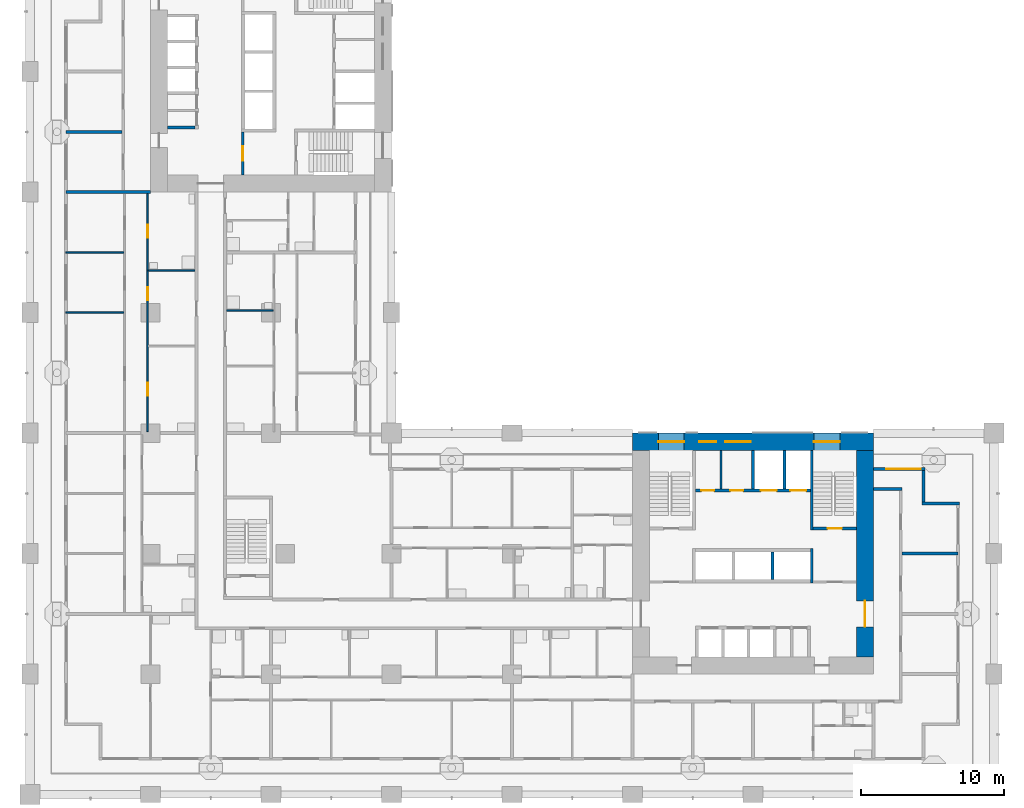
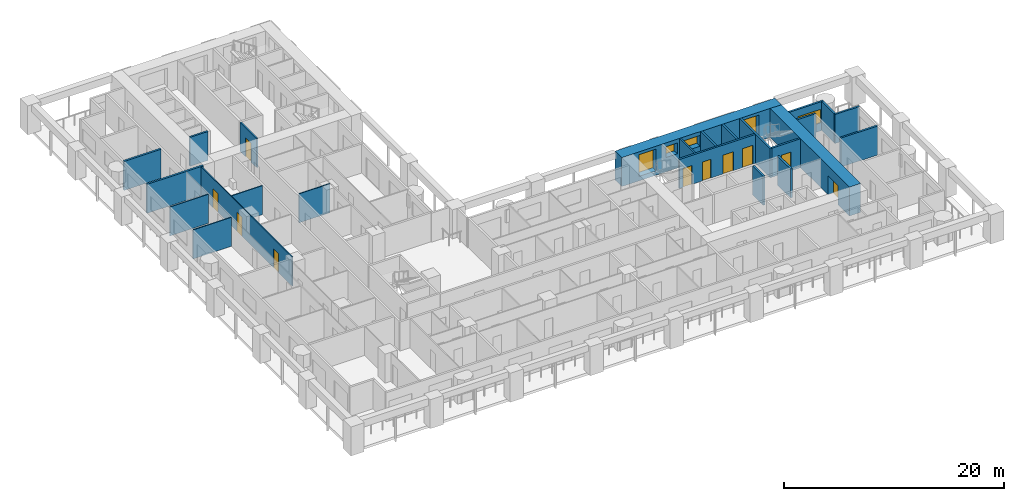
# One storey, part 7 of 20: 24 walls, 10 doors, 5 windows, 15 openings.
"""IFC4 building model written with IfcOpenShell, lengths in metres."""

from ifc_helpers import new_model, si_unit, direction, frame, frame_2d, origin, place, context, subcontext, project, spatial, rectangle, extrude, material, layer, layer_set, type_object, element, fill, save


model = new_model("IFC4")

# Units and contexts
model_context = context("Model", 3, precision=1e-05, world=origin(), true_north=direction((0.0, 1.0)))
body_context = subcontext(model_context, "Body", "Model", "MODEL_VIEW")
ifc_project = project(units=[si_unit("LENGTHUNIT", "METRE"), si_unit("AREAUNIT", "SQUARE_METRE"), si_unit("VOLUMEUNIT", "CUBIC_METRE"), si_unit("PLANEANGLEUNIT", "RADIAN"), si_unit("MASSUNIT", "GRAM", prefix="KILO")], contexts=[model_context])

# Site, building, storey
site_placement = place(None, origin())
site = spatial("IfcSite", under=ifc_project, at=site_placement, CompositionType="ELEMENT")
building_placement = place(site_placement, origin())
building = spatial("IfcBuilding", under=site, at=building_placement, Name="Vermilion Gate Residences", CompositionType="ELEMENT")
storey_placement = place(building_placement, frame((0.0, 0.0, 35.699951171875)))
storey = spatial("IfcBuildingStorey", under=building, at=storey_placement, Name="L07", CompositionType="ELEMENT", Elevation=35.699951171875)

# Wall
ifc_material_1 = material(Name="Masonry blockwork", Category="masonry")
ifc_layer_1 = layer(ifc_material_1, 0.14990234375)
ifc_layer_set_1 = layer_set([ifc_layer_1], Name="BLOCKWORK PARTITION 150 EI 120")
wall_type_1 = type_object("IfcWallType", Name="BLOCKWORK PARTITION 150 EI 120", PredefinedType="PARTITIONING", material=ifc_layer_set_1)
wall_1_placement = place(storey_placement, frame((48.16259765625, 21.300048828125, 0.0), z_axis=(0.0, 0.0, 1.0), x_axis=(0.0, 1.0, 0.0)))
element("IfcWall", 1, at=wall_1_placement, inside=storey, type_object=wall_type_1, Name="Core room partition A07-NR-P0", PredefinedType="PARTITIONING", context=body_context, shape_type="SweptSolid", body=[
    extrude(rectangle(XDim=2.699951171875, YDim=0.14990234375, at=frame_2d((1.35009765625, 0.0))), origin(), (0.0, 0.0, 1.0), 3.219970703125),
])

# Wall, opening, door
wall_2_placement = place(storey_placement, frame((14.824951171875, 46.199951171875, 0.0), z_axis=(0.0, 0.0, 1.0), x_axis=(0.0, -1.0, 0.0)))
wall_2 = element("IfcWall", 2, at=wall_2_placement, inside=storey, type_object=wall_type_1, Name="Core room partition B07-VE-S", PredefinedType="PARTITIONING", context=body_context, shape_type="SweptSolid", body=[
    extrude(rectangle(XDim=3.0, YDim=0.14990234375, at=frame_2d((1.5, 0.0))), origin(), (0.0, 0.0, 1.0), 3.219970703125),
])
opening_1_placement = place(wall_2_placement, frame((1.0, 0.0, 0.0)))
opening_1 = element("IfcOpeningElement", 3, at=opening_1_placement, cuts=wall_2, Name="Opening DK07115", PredefinedType="OPENING", context=body_context, shape_type="SweptSolid", body=[
    extrude(rectangle(XDim=1.0, YDim=2.10009765625, at=frame_2d((0.5, 1.050048828125))), frame((0.0, 0.0849609375, 0.0), z_axis=(0.0, -1.0, 0.0), x_axis=(1.0, 0.0, 0.0)), (0.0, 0.0, 1.0), 0.169921875),
])
ifc_material_2 = material(Name="Steel", Category="steel")
door_type_1 = type_object("IfcDoorType", Name="FIRE DOOR FD60 1000 X 2100", OperationType="SINGLE_SWING_LEFT", PredefinedType="DOOR", material=ifc_material_2)
door_1_placement = place(opening_1_placement, frame((1.0, 0.0, 0.0), z_axis=(0.0, 0.0, 1.0), x_axis=(-1.0, 0.0, 0.0)))
door_1 = element("IfcDoor", 4, at=door_1_placement, inside=storey, type_object=door_type_1, Name="Stair vestibule door B07", OperationType="SINGLE_SWING_LEFT", OverallHeight=2.10009765625, OverallWidth=1.0, PredefinedType="DOOR", context=body_context, shape_type="SweptSolid", body=[
    extrude(rectangle(XDim=1.0, YDim=2.10009765625, at=frame_2d((0.5, 1.050048828125))), frame((0.0, 0.02490234375, 0.0), z_axis=(0.0, -1.0, 0.0), x_axis=(1.0, 0.0, 0.0)), (0.0, 0.0, 1.0), 0.050048828125),
])
fill(opening_1, door_1)

# Walls
ifc_material_3 = material(Name="Insulated steel stud wall with terracotta rainscreen", Category="masonry")
ifc_layer_2 = layer(ifc_material_3, 0.199951171875)
ifc_layer_set_2 = layer_set([ifc_layer_2], Name="EXTERNAL WALL 200 TERRACOTTA RAINSCREEN")
wall_type_2 = type_object("IfcWallType", Name="EXTERNAL WALL 200 TERRACOTTA RAINSCREEN", PredefinedType="SOLIDWALL", material=ifc_layer_set_2)
wall_3_placement = place(storey_placement, frame((64.800048828125, 20.300048828125, 0.0), z_axis=(0.0, 0.0, 1.0), x_axis=(-1.0, 0.0, 0.0)))
element("IfcWall", 5, at=wall_3_placement, inside=storey, type_object=wall_type_2, Name="External wall", PredefinedType="SOLIDWALL", context=body_context, shape_type="SweptSolid", body=[
    extrude(rectangle(XDim=2.60009765625, YDim=0.199951171875, at=frame_2d((1.300048828125, 0.0))), origin(), (0.0, 0.0, 1.0), 3.219970703125),
])
wall_4_placement = place(storey_placement, frame((62.300048828125, 20.39990234375, 0.0), z_axis=(0.0, 0.0, 1.0), x_axis=(0.0, 1.0, 0.0)))
element("IfcWall", 6, at=wall_4_placement, inside=storey, type_object=wall_type_2, Name="External wall", PredefinedType="SOLIDWALL", context=body_context, shape_type="SweptSolid", body=[
    extrude(rectangle(XDim=2.2001953125, YDim=0.199951171875, at=frame_2d((1.10009765625, 0.0))), origin(), (0.0, 0.0, 1.0), 3.219970703125),
])

# Wall, opening, window
wall_5_placement = place(storey_placement, frame((62.39990234375, 22.699951171875, 0.0), z_axis=(0.0, 0.0, 1.0), x_axis=(-1.0, 0.0, 0.0)))
wall_5 = element("IfcWall", 7, at=wall_5_placement, inside=storey, type_object=wall_type_2, Name="External wall", PredefinedType="SOLIDWALL", context=body_context, shape_type="SweptSolid", body=[
    extrude(rectangle(XDim=3.599853515625, YDim=0.199951171875, at=frame_2d((1.7998046875, 0.0))), origin(), (0.0, 0.0, 1.0), 3.219970703125),
])
opening_2_placement = place(wall_5_placement, frame((0.300048828125, 0.0, 0.89990234375)))
opening_2 = element("IfcOpeningElement", 8, at=opening_2_placement, cuts=wall_5, Name="Opening WE07032", PredefinedType="OPENING", context=body_context, shape_type="SweptSolid", body=[
    extrude(rectangle(XDim=2.39990234375, YDim=1.5, at=frame_2d((1.199951171875, 0.75))), frame((0.0, 0.10986328125, 0.0), z_axis=(0.0, -1.0, 0.0), x_axis=(1.0, 0.0, 0.0)), (0.0, 0.0, 1.0), 0.219970703125),
])
ifc_material_4 = material(Name="Aluminium and clear glass", Category="aluminium")
window_type_1 = type_object("IfcWindowType", Name="WINDOW 2400 X 1500", PartitioningType="SINGLE_PANEL", PredefinedType="WINDOW", material=ifc_material_4)
window_1_placement = place(opening_2_placement, origin())
window_1 = element("IfcWindow", 9, at=window_1_placement, inside=storey, type_object=window_type_1, Name="Window", OverallHeight=1.5, OverallWidth=2.39990234375, PartitioningType="SINGLE_PANEL", PredefinedType="WINDOW", context=body_context, shape_type="SweptSolid", body=[
    extrude(rectangle(XDim=2.39990234375, YDim=1.5, at=frame_2d((1.199951171875, 0.75))), frame((0.0, 0.030029296875, 0.0), z_axis=(0.0, -1.0, 0.0), x_axis=(1.0, 0.0, 0.0)), (0.0, 0.0, 1.0), 0.06005859375),
])
fill(opening_2, window_1)

# Walls
ifc_material_5 = material(Name="Plasterboard on steel studs", Category="steel")
ifc_layer_3 = layer(ifc_material_5, 0.10009765625)
ifc_layer_set_3 = layer_set([ifc_layer_3], Name="PARTITION 100")
wall_type_3 = type_object("IfcWallType", Name="PARTITION 100", PredefinedType="PARTITIONING", material=ifc_layer_set_3)
wall_6_placement = place(storey_placement, frame((2.5, 33.60009765625, 0.0), z_axis=(0.0, 0.0, 1.0), x_axis=(1.0, 0.0, 0.0)))
element("IfcWall", 10, at=wall_6_placement, inside=storey, type_object=wall_type_3, Name="Partition", PredefinedType="PARTITIONING", context=body_context, shape_type="SweptSolid", body=[
    extrude(rectangle(XDim=4.050048828125, YDim=0.10009765625, at=frame_2d((2.02490234375, 0.0))), origin(), (0.0, 0.0, 1.0), 3.219970703125),
])
for number, where, z_axis, x_axis, name in (
    (11, (13.699951171875, 33.73291015625, 0.0), (0.0, 0.0, 1.0), (1.0, 0.0, 0.0), "Partition"),
    (12, (8.25, 36.532958984375, 0.0), (0.0, 0.0, 1.0), (1.0, 0.0, 0.0), "Partition"),
):
    element("IfcWall", number, at=place(storey_placement, frame(where, z_axis=z_axis, x_axis=x_axis)), inside=storey, type_object=wall_type_3, Name=name, PredefinedType="PARTITIONING", context=body_context, shape_type="SweptSolid", body=[
        extrude(rectangle(XDim=3.25, YDim=0.10009765625, at=frame_2d((1.625, 0.0))), origin(), (0.0, 0.0, 1.0), 3.219970703125),
    ])
wall_7_placement = place(storey_placement, frame((2.5, 37.800048828125, 0.0), z_axis=(0.0, 0.0, 1.0), x_axis=(1.0, 0.0, 0.0)))
element("IfcWall", 13, at=wall_7_placement, inside=storey, type_object=wall_type_3, Name="Partition", PredefinedType="PARTITIONING", context=body_context, shape_type="SweptSolid", body=[
    extrude(rectangle(XDim=4.050048828125, YDim=0.10009765625, at=frame_2d((2.02490234375, 0.0))), origin(), (0.0, 0.0, 1.0), 3.219970703125),
])

# Wall, openings, doors
wall_8_placement = place(storey_placement, frame((8.199951171875, 25.300048828125, 0.0), z_axis=(0.0, 0.0, 1.0), x_axis=(0.0, 1.0, 0.0)))
wall_8 = element("IfcWall", 14, at=wall_8_placement, inside=storey, type_object=wall_type_3, Name="Partition", PredefinedType="PARTITIONING", context=body_context, shape_type="SweptSolid", body=[
    extrude(rectangle(XDim=16.599853515625, YDim=0.10009765625, at=frame_2d((8.2998046875, 0.0))), origin(), (0.0, 0.0, 1.0), 3.219970703125),
])
opening_3_placement = place(wall_8_placement, frame((9.1669921875, 0.0, 0.0)))
opening_3 = element("IfcOpeningElement", 15, at=opening_3_placement, cuts=wall_8, Name="Opening DA07048", PredefinedType="OPENING", context=body_context, shape_type="SweptSolid", body=[
    extrude(rectangle(XDim=0.89990234375, YDim=2.10009765625, at=frame_2d((0.449951171875, 1.050048828125))), frame((0.0, 0.06005859375, 0.0), z_axis=(0.0, -1.0, 0.0), x_axis=(1.0, 0.0, 0.0)), (0.0, 0.0, 1.0), 0.1201171875),
])
opening_4_placement = place(wall_8_placement, frame((2.5, 0.0, 0.0)))
opening_4 = element("IfcOpeningElement", 16, at=opening_4_placement, cuts=wall_8, Name="Opening DA07049", PredefinedType="OPENING", context=body_context, shape_type="SweptSolid", body=[
    extrude(rectangle(XDim=0.89990234375, YDim=2.10009765625, at=frame_2d((0.449951171875, 1.050048828125))), frame((0.0, 0.06005859375, 0.0), z_axis=(0.0, -1.0, 0.0), x_axis=(1.0, 0.0, 0.0)), (0.0, 0.0, 1.0), 0.1201171875),
])
opening_5_placement = place(wall_8_placement, frame((13.532958984375, 0.0, 0.0)))
opening_5 = element("IfcOpeningElement", 17, at=opening_5_placement, cuts=wall_8, Name="Opening DA07050", PredefinedType="OPENING", context=body_context, shape_type="SweptSolid", body=[
    extrude(rectangle(XDim=0.89990234375, YDim=2.10009765625, at=frame_2d((0.449951171875, 1.050048828125))), frame((0.0, 0.06005859375, 0.0), z_axis=(0.0, -1.0, 0.0), x_axis=(1.0, 0.0, 0.0)), (0.0, 0.0, 1.0), 0.1201171875),
])
ifc_material_6 = material(Name="Timber", Category="wood")
door_type_2 = type_object("IfcDoorType", Name="INTERIOR DOOR 900 X 2100", OperationType="SINGLE_SWING_LEFT", PredefinedType="DOOR", material=ifc_material_6)
door_2_placement = place(opening_3_placement, frame((0.89990234375, 0.0, 0.0), z_axis=(0.0, 0.0, 1.0), x_axis=(-1.0, 0.0, 0.0)))
door_2 = element("IfcDoor", 18, at=door_2_placement, inside=storey, type_object=door_type_2, Name="Interior door", OperationType="SINGLE_SWING_RIGHT", OverallHeight=2.10009765625, OverallWidth=0.89990234375, PredefinedType="DOOR", context=body_context, shape_type="SweptSolid", body=[
    extrude(rectangle(XDim=0.89990234375, YDim=2.10009765625, at=frame_2d((0.449951171875, 1.050048828125))), frame((0.0, 0.02490234375, 0.0), z_axis=(0.0, -1.0, 0.0), x_axis=(1.0, 0.0, 0.0)), (0.0, 0.0, 1.0), 0.050048828125),
])
fill(opening_3, door_2)
door_3_placement = place(opening_4_placement, frame((0.89990234375, 0.0, 0.0), z_axis=(0.0, 0.0, 1.0), x_axis=(-1.0, 0.0, 0.0)))
door_3 = element("IfcDoor", 19, at=door_3_placement, inside=storey, type_object=door_type_2, Name="Interior door", OperationType="SINGLE_SWING_RIGHT", OverallHeight=2.10009765625, OverallWidth=0.89990234375, PredefinedType="DOOR", context=body_context, shape_type="SweptSolid", body=[
    extrude(rectangle(XDim=0.89990234375, YDim=2.10009765625, at=frame_2d((0.449951171875, 1.050048828125))), frame((0.0, 0.02490234375, 0.0), z_axis=(0.0, -1.0, 0.0), x_axis=(1.0, 0.0, 0.0)), (0.0, 0.0, 1.0), 0.050048828125),
])
fill(opening_4, door_3)
door_4_placement = place(opening_5_placement, frame((0.89990234375, 0.0, 0.0), z_axis=(0.0, 0.0, 1.0), x_axis=(-1.0, 0.0, 0.0)))
door_4 = element("IfcDoor", 20, at=door_4_placement, inside=storey, type_object=door_type_2, Name="Interior door", OperationType="SINGLE_SWING_RIGHT", OverallHeight=2.10009765625, OverallWidth=0.89990234375, PredefinedType="DOOR", context=body_context, shape_type="SweptSolid", body=[
    extrude(rectangle(XDim=0.89990234375, YDim=2.10009765625, at=frame_2d((0.449951171875, 1.050048828125))), frame((0.0, 0.02490234375, 0.0), z_axis=(0.0, -1.0, 0.0), x_axis=(1.0, 0.0, 0.0)), (0.0, 0.0, 1.0), 0.050048828125),
])
fill(opening_5, door_4)

# Walls
ifc_material_7 = material(Name="Fire-rated plasterboard on steel studs", Category="steel")
ifc_layer_4 = layer(ifc_material_7, 0.199951171875)
ifc_layer_set_4 = layer_set([ifc_layer_4], Name="PARTY WALL 200 EI 120")
wall_type_4 = type_object("IfcWallType", Name="PARTY WALL 200 EI 120", PredefinedType="PARTITIONING", material=ifc_layer_set_4)
wall_9_placement = place(storey_placement, frame((60.800048828125, 16.800048828125, 0.0), z_axis=(0.0, 0.0, 1.0), x_axis=(1.0, 0.0, 0.0)))
element("IfcWall", 21, at=wall_9_placement, inside=storey, type_object=wall_type_4, Name="Party and corridor wall", PredefinedType="PARTITIONING", context=body_context, shape_type="SweptSolid", body=[
    extrude(rectangle(XDim=3.89990234375, YDim=0.199951171875, at=frame_2d((1.949951171875, 0.0))), origin(), (0.0, 0.0, 1.0), 3.219970703125),
])
wall_10_placement = place(storey_placement, frame((58.800048828125, 21.300048828125, 0.0), z_axis=(0.0, 0.0, 1.0), x_axis=(1.0, 0.0, 0.0)))
element("IfcWall", 22, at=wall_10_placement, inside=storey, type_object=wall_type_4, Name="Party and corridor wall", PredefinedType="PARTITIONING", context=body_context, shape_type="SweptSolid", body=[
    extrude(rectangle(XDim=2.0, YDim=0.199951171875, at=frame_2d((1.0, 0.0))), origin(), (0.0, 0.0, 1.0), 3.219970703125),
])
wall_11_placement = place(storey_placement, frame((2.5, 42.0, 0.0), z_axis=(0.0, 0.0, 1.0), x_axis=(1.0, 0.0, 0.0)))
element("IfcWall", 23, at=wall_11_placement, inside=storey, type_object=wall_type_4, Name="Party and corridor wall", PredefinedType="PARTITIONING", context=body_context, shape_type="SweptSolid", body=[
    extrude(rectangle(XDim=5.89990234375, YDim=0.199951171875, at=frame_2d((2.949951171875, 0.0))), origin(), (0.0, 0.0, 1.0), 3.219970703125),
])
wall_12_placement = place(storey_placement, frame((2.5, 46.199951171875, 0.0), z_axis=(0.0, 0.0, 1.0), x_axis=(1.0, 0.0, 0.0)))
element("IfcWall", 24, at=wall_12_placement, inside=storey, type_object=wall_type_4, Name="Party and corridor wall", PredefinedType="PARTITIONING", context=body_context, shape_type="SweptSolid", body=[
    extrude(rectangle(XDim=3.89990234375, YDim=0.199951171875, at=frame_2d((1.949951171875, 0.0))), origin(), (0.0, 0.0, 1.0), 3.219970703125),
])
ifc_material_8 = material(Name="Concrete C60", Category="concrete")
ifc_layer_5 = layer(ifc_material_8, 0.199951171875)
ifc_layer_set_5 = layer_set([ifc_layer_5], Name="RC CORE INTERNAL WALL 200 C60")
wall_type_5 = type_object("IfcWallType", Name="RC CORE INTERNAL WALL 200 C60", PredefinedType="SHEAR", material=ifc_layer_set_5)
wall_13_placement = place(storey_placement, frame((51.7666015625, 15.0, 0.0), z_axis=(0.0, 0.0, 1.0), x_axis=(0.0, 1.0, 0.0)))
element("IfcWall", 25, at=wall_13_placement, inside=storey, type_object=wall_type_5, Name="Core internal wall A07-HR-D2", PredefinedType="SHEAR", context=body_context, shape_type="SweptSolid", body=[
    extrude(rectangle(XDim=1.89990234375, YDim=0.199951171875, at=frame_2d((0.949951171875, 0.0))), origin(), (0.0, 0.0, 1.0), 3.219970703125),
])
for number, where, z_axis, x_axis, name in (
    (26, (50.39990234375, 21.300048828125, 0.0), (0.0, 0.0, 1.0), (0.0, 1.0, 0.0), "Core internal wall A07-FF-D0"),
    (27, (52.60009765625, 21.300048828125, 0.0), (0.0, 0.0, 1.0), (0.0, 1.0, 0.0), "Core internal wall A07-FF-D1"),
):
    element("IfcWall", number, at=place(storey_placement, frame(where, z_axis=z_axis, x_axis=x_axis)), inside=storey, type_object=wall_type_5, Name=name, PredefinedType="SHEAR", context=body_context, shape_type="SweptSolid", body=[
        extrude(rectangle(XDim=2.699951171875, YDim=0.199951171875, at=frame_2d((1.35009765625, 0.0))), origin(), (0.0, 0.0, 1.0), 3.219970703125),
    ])

# Wall, openings, doors
wall_14_placement = place(storey_placement, frame((46.39990234375, 21.199951171875, 0.0), z_axis=(0.0, 0.0, 1.0), x_axis=(1.0, 0.0, 0.0)))
wall_14 = element("IfcWall", 28, at=wall_14_placement, inside=storey, type_object=wall_type_5, Name="Core internal wall A07-FF-F", PredefinedType="SHEAR", context=body_context, shape_type="SweptSolid", body=[
    extrude(rectangle(XDim=8.0, YDim=0.199951171875, at=frame_2d((4.0, 0.0))), origin(), (0.0, 0.0, 1.0), 3.219970703125),
])
opening_6_placement = place(wall_14_placement, frame((0.393798828125, 0.0, 0.0)))
opening_6 = element("IfcOpeningElement", 29, at=opening_6_placement, cuts=wall_14, Name="Opening DK07010", PredefinedType="OPENING", context=body_context, shape_type="SweptSolid", body=[
    extrude(rectangle(XDim=0.89990234375, YDim=2.10009765625, at=frame_2d((0.449951171875, 1.050048828125))), frame((0.0, 0.10986328125, 0.0), z_axis=(0.0, -1.0, 0.0), x_axis=(1.0, 0.0, 0.0)), (0.0, 0.0, 1.0), 0.219970703125),
])
opening_7_placement = place(wall_14_placement, frame((2.418701171875, 0.0, 0.0)))
opening_7 = element("IfcOpeningElement", 30, at=opening_7_placement, cuts=wall_14, Name="Opening DK07011", PredefinedType="OPENING", context=body_context, shape_type="SweptSolid", body=[
    extrude(rectangle(XDim=0.89990234375, YDim=2.10009765625, at=frame_2d((0.449951171875, 1.050048828125))), frame((0.0, 0.10986328125, 0.0), z_axis=(0.0, -1.0, 0.0), x_axis=(1.0, 0.0, 0.0)), (0.0, 0.0, 1.0), 0.219970703125),
])
opening_8_placement = place(wall_14_placement, frame((4.550048828125, 0.0, 0.0)))
opening_8 = element("IfcOpeningElement", 31, at=opening_8_placement, cuts=wall_14, Name="Opening LD", PredefinedType="OPENING", context=body_context, shape_type="SweptSolid", body=[
    extrude(rectangle(XDim=1.10009765625, YDim=2.10009765625, at=frame_2d((0.550048828125, 1.050048828125))), frame((0.0, 0.10986328125, 0.0), z_axis=(0.0, -1.0, 0.0), x_axis=(1.0, 0.0, 0.0)), (0.0, 0.0, 1.0), 0.219970703125),
])
opening_9_placement = place(wall_14_placement, frame((6.60009765625, 0.0, 0.0)))
opening_9 = element("IfcOpeningElement", 32, at=opening_9_placement, cuts=wall_14, Name="Opening LD", PredefinedType="OPENING", context=body_context, shape_type="SweptSolid", body=[
    extrude(rectangle(XDim=1.10009765625, YDim=2.10009765625, at=frame_2d((0.550048828125, 1.050048828125))), frame((0.0, 0.10986328125, 0.0), z_axis=(0.0, -1.0, 0.0), x_axis=(1.0, 0.0, 0.0)), (0.0, 0.0, 1.0), 0.219970703125),
])
ifc_material_9 = material(Name="Stainless steel", Category="steel")
door_type_3 = type_object("IfcDoorType", Name="LIFT LANDING DOOR E60 1100 X 2100", OperationType="DOUBLE_DOOR_SLIDING", PredefinedType="DOOR", material=ifc_material_9)
door_5_placement = place(opening_8_placement, origin())
door_5 = element("IfcDoor", 33, at=door_5_placement, inside=storey, type_object=door_type_3, Name="Lift landing door LFA1", OperationType="DOUBLE_DOOR_SLIDING", OverallHeight=2.10009765625, OverallWidth=1.10009765625, PredefinedType="DOOR", context=body_context, shape_type="SweptSolid", body=[
    extrude(rectangle(XDim=1.10009765625, YDim=2.10009765625, at=frame_2d((0.550048828125, 1.050048828125))), frame((0.0, 0.02490234375, 0.0), z_axis=(0.0, -1.0, 0.0), x_axis=(1.0, 0.0, 0.0)), (0.0, 0.0, 1.0), 0.050048828125),
])
fill(opening_8, door_5)
door_6_placement = place(opening_9_placement, origin())
door_6 = element("IfcDoor", 34, at=door_6_placement, inside=storey, type_object=door_type_3, Name="Lift landing door LCA1", OperationType="DOUBLE_DOOR_SLIDING", OverallHeight=2.10009765625, OverallWidth=1.10009765625, PredefinedType="DOOR", context=body_context, shape_type="SweptSolid", body=[
    extrude(rectangle(XDim=1.10009765625, YDim=2.10009765625, at=frame_2d((0.550048828125, 1.050048828125))), frame((0.0, 0.02490234375, 0.0), z_axis=(0.0, -1.0, 0.0), x_axis=(1.0, 0.0, 0.0)), (0.0, 0.0, 1.0), 0.050048828125),
])
fill(opening_9, door_6)
ifc_material_10 = material(Name="Steel", Category="steel")
door_type_4 = type_object("IfcDoorType", Name="SERVICE ROOM DOOR FD60 900 X 2100", OperationType="SINGLE_SWING_LEFT", PredefinedType="DOOR", material=ifc_material_10)
door_7_placement = place(opening_6_placement, origin())
door_7 = element("IfcDoor", 35, at=door_7_placement, inside=storey, type_object=door_type_4, Name="Communications riser A07", OperationType="SINGLE_SWING_LEFT", OverallHeight=2.10009765625, OverallWidth=0.89990234375, PredefinedType="DOOR", context=body_context, shape_type="SweptSolid", body=[
    extrude(rectangle(XDim=0.89990234375, YDim=2.10009765625, at=frame_2d((0.449951171875, 1.050048828125))), frame((0.0, 0.02490234375, 0.0), z_axis=(0.0, -1.0, 0.0), x_axis=(1.0, 0.0, 0.0)), (0.0, 0.0, 1.0), 0.050048828125),
])
fill(opening_6, door_7)
door_8_placement = place(opening_7_placement, origin())
door_8 = element("IfcDoor", 36, at=door_8_placement, inside=storey, type_object=door_type_4, Name="Refuse room A07", OperationType="SINGLE_SWING_LEFT", OverallHeight=2.10009765625, OverallWidth=0.89990234375, PredefinedType="DOOR", context=body_context, shape_type="SweptSolid", body=[
    extrude(rectangle(XDim=0.89990234375, YDim=2.10009765625, at=frame_2d((0.449951171875, 1.050048828125))), frame((0.0, 0.02490234375, 0.0), z_axis=(0.0, -1.0, 0.0), x_axis=(1.0, 0.0, 0.0)), (0.0, 0.0, 1.0), 0.050048828125),
])
fill(opening_7, door_8)

# Walls
wall_15_placement = place(storey_placement, frame((54.5, 14.75, 0.0), z_axis=(0.0, 0.0, 1.0), x_axis=(0.0, 1.0, 0.0)))
element("IfcWall", 37, at=wall_15_placement, inside=storey, type_object=wall_type_5, Name="Core internal wall A07-EDIV1", PredefinedType="SHEAR", context=body_context, shape_type="SweptSolid", body=[
    extrude(rectangle(XDim=2.39990234375, YDim=0.199951171875, at=frame_2d((1.199951171875, 0.0))), origin(), (0.0, 0.0, 1.0), 3.219970703125),
])
wall_16_placement = place(storey_placement, frame((54.5, 18.449951171875, 0.0), z_axis=(0.0, 0.0, 1.0), x_axis=(0.0, 1.0, 0.0)))
element("IfcWall", 38, at=wall_16_placement, inside=storey, type_object=wall_type_5, Name="Core internal wall A07-EDIV2", PredefinedType="SHEAR", context=body_context, shape_type="SweptSolid", body=[
    extrude(rectangle(XDim=5.550048828125, YDim=0.199951171875, at=frame_2d((2.77490234375, 0.0))), origin(), (0.0, 0.0, 1.0), 3.219970703125),
])

# Wall, opening, door
wall_17_placement = place(storey_placement, frame((54.60009765625, 18.550048828125, 0.0), z_axis=(0.0, 0.0, 1.0), x_axis=(1.0, 0.0, 0.0)))
wall_17 = element("IfcWall", 39, at=wall_17_placement, inside=storey, type_object=wall_type_5, Name="Core internal wall A07-STE-S", PredefinedType="SHEAR", context=body_context, shape_type="SweptSolid", body=[
    extrude(rectangle(XDim=3.0, YDim=0.199951171875, at=frame_2d((1.5, 0.0))), origin(), (0.0, 0.0, 1.0), 3.219970703125),
])
opening_10_placement = place(wall_17_placement, frame((1.0, 0.0, 0.0)))
opening_10 = element("IfcOpeningElement", 40, at=opening_10_placement, cuts=wall_17, Name="Opening DK07017", PredefinedType="OPENING", context=body_context, shape_type="SweptSolid", body=[
    extrude(rectangle(XDim=1.0, YDim=2.10009765625, at=frame_2d((0.5, 1.050048828125))), frame((0.0, 0.10986328125, 0.0), z_axis=(0.0, -1.0, 0.0), x_axis=(1.0, 0.0, 0.0)), (0.0, 0.0, 1.0), 0.219970703125),
])
door_9_placement = place(opening_10_placement, origin())
door_9 = element("IfcDoor", 41, at=door_9_placement, inside=storey, type_object=door_type_1, Name="Stair door A07", OperationType="SINGLE_SWING_LEFT", OverallHeight=2.10009765625, OverallWidth=1.0, PredefinedType="DOOR", context=body_context, shape_type="SweptSolid", body=[
    extrude(rectangle(XDim=1.0, YDim=2.10009765625, at=frame_2d((0.5, 1.050048828125))), frame((0.0, 0.02490234375, 0.0), z_axis=(0.0, -1.0, 0.0), x_axis=(1.0, 0.0, 0.0)), (0.0, 0.0, 1.0), 0.050048828125),
])
fill(opening_10, door_9)

# Wall
wall_18_placement = place(storey_placement, frame((9.60009765625, 46.5, 0.0), z_axis=(0.0, 0.0, 1.0), x_axis=(1.0, 0.0, 0.0)))
element("IfcWall", 42, at=wall_18_placement, inside=storey, type_object=wall_type_5, Name="Core internal wall B07-LR-DE", PredefinedType="SHEAR", context=body_context, shape_type="SweptSolid", body=[
    extrude(rectangle(XDim=1.89990234375, YDim=0.199951171875, at=frame_2d((0.949951171875, 0.0))), origin(), (0.0, 0.0, 1.0), 3.219970703125),
])

# Wall, opening, door
ifc_material_11 = material(Name="Concrete C80", Category="concrete")
ifc_layer_6 = layer(ifc_material_11, 1.199951171875)
ifc_layer_set_6 = layer_set([ifc_layer_6], Name="RC CORE WALL 1200 C80")
wall_type_6 = type_object("IfcWallType", Name="RC CORE WALL 1200 C80", PredefinedType="SHEAR", material=ifc_layer_set_6)
wall_19_placement = place(storey_placement, frame((58.199951171875, 9.60009765625, 0.0), z_axis=(0.0, 0.0, 1.0), x_axis=(0.0, 1.0, 0.0)))
wall_19 = element("IfcWall", 43, at=wall_19_placement, inside=storey, type_object=wall_type_6, Name="Core wall A07-OUT-BK", PredefinedType="SHEAR", context=body_context, shape_type="SweptSolid", body=[
    extrude(rectangle(XDim=14.39990234375, YDim=1.199951171875, at=frame_2d((7.199951171875, 0.0))), origin(), (0.0, 0.0, 1.0), 3.219970703125),
])
opening_11_placement = place(wall_19_placement, frame((2.10009765625, 0.0, 0.0)))
opening_11 = element("IfcOpeningElement", 44, at=opening_11_placement, cuts=wall_19, Name="Opening DK07004", PredefinedType="OPENING", context=body_context, shape_type="SweptSolid", body=[
    extrude(rectangle(XDim=1.800048828125, YDim=2.10009765625, at=frame_2d((0.89990234375, 1.050048828125))), frame((0.0, 0.60986328125, 0.0), z_axis=(0.0, -1.0, 0.0), x_axis=(1.0, 0.0, 0.0)), (0.0, 0.0, 1.0), 1.219970703125),
])
ifc_material_12 = material(Name="Steel", Category="steel")
door_type_5 = type_object("IfcDoorType", Name="CORE LOBBY DOOR FD60 1800 X 2100", OperationType="DOUBLE_DOOR_SINGLE_SWING", PredefinedType="DOOR", material=ifc_material_12)
door_10_placement = place(opening_11_placement, origin())
door_10 = element("IfcDoor", 45, at=door_10_placement, inside=storey, type_object=door_type_5, Name="Core lobby door A07", OperationType="DOUBLE_DOOR_SINGLE_SWING", OverallHeight=2.10009765625, OverallWidth=1.800048828125, PredefinedType="DOOR", context=body_context, shape_type="SweptSolid", body=[
    extrude(rectangle(XDim=1.800048828125, YDim=2.10009765625, at=frame_2d((0.89990234375, 1.050048828125))), frame((0.0, 0.02490234375, 0.0), z_axis=(0.0, -1.0, 0.0), x_axis=(1.0, 0.0, 0.0)), (0.0, 0.0, 1.0), 0.050048828125),
])
fill(opening_11, door_10)

# Wall, openings, windows
ifc_material_13 = material(Name="Concrete C80 red-oxide pigmented", Category="concrete")
ifc_layer_7 = layer(ifc_material_13, 1.199951171875)
ifc_layer_set_7 = layer_set([ifc_layer_7], Name="RC CORE WALL 1200 C80 RED OXIDE")
wall_type_7 = type_object("IfcWallType", Name="RC CORE WALL 1200 C80 RED OXIDE", PredefinedType="SHEAR", material=ifc_layer_set_7)
wall_20_placement = place(storey_placement, frame((42.0, 24.60009765625, 0.0), z_axis=(0.0, 0.0, 1.0), x_axis=(1.0, 0.0, 0.0)))
wall_20 = element("IfcWall", 46, at=wall_20_placement, inside=storey, type_object=wall_type_7, Name="Core wall A07-OUT-B1", PredefinedType="SHEAR", context=body_context, shape_type="SweptSolid", body=[
    extrude(rectangle(XDim=16.800048828125, YDim=1.199951171875, at=frame_2d((8.39990234375, 0.0))), origin(), (0.0, 0.0, 1.0), 3.219970703125),
])
opening_12_placement = place(wall_20_placement, frame((1.800048828125, 0.0, 0.5)))
opening_12 = element("IfcOpeningElement", 47, at=opening_12_placement, cuts=wall_20, Name="Opening WKA0701", PredefinedType="OPENING", context=body_context, shape_type="SweptSolid", body=[
    extrude(rectangle(XDim=1.800048828125, YDim=2.39990234375, at=frame_2d((0.89990234375, 1.199951171875))), frame((0.0, 0.60986328125, 0.0), z_axis=(0.0, -1.0, 0.0), x_axis=(1.0, 0.0, 0.0)), (0.0, 0.0, 1.0), 1.219970703125),
])
opening_13_placement = place(wall_20_placement, frame((4.643798828125, 0.0, 1.60009765625)))
opening_13 = element("IfcOpeningElement", 48, at=opening_13_placement, cuts=wall_20, Name="Opening WKA0702", PredefinedType="OPENING", context=body_context, shape_type="SweptSolid", body=[
    extrude(rectangle(XDim=1.199951171875, YDim=1.199951171875, at=frame_2d((0.60009765625, 0.60009765625))), frame((0.0, 0.60986328125, 0.0), z_axis=(0.0, -1.0, 0.0), x_axis=(1.0, 0.0, 0.0)), (0.0, 0.0, 1.0), 1.219970703125),
])
opening_14_placement = place(wall_20_placement, frame((6.449951171875, 0.0, 1.60009765625)))
opening_14 = element("IfcOpeningElement", 49, at=opening_14_placement, cuts=wall_20, Name="Opening WKA0703", PredefinedType="OPENING", context=body_context, shape_type="SweptSolid", body=[
    extrude(rectangle(XDim=1.800048828125, YDim=1.199951171875, at=frame_2d((0.89990234375, 0.60009765625))), frame((0.0, 0.60986328125, 0.0), z_axis=(0.0, -1.0, 0.0), x_axis=(1.0, 0.0, 0.0)), (0.0, 0.0, 1.0), 1.219970703125),
])
opening_15_placement = place(wall_20_placement, frame((12.64990234375, 0.0, 0.5)))
opening_15 = element("IfcOpeningElement", 50, at=opening_15_placement, cuts=wall_20, Name="Opening WKA0704", PredefinedType="OPENING", context=body_context, shape_type="SweptSolid", body=[
    extrude(rectangle(XDim=1.800048828125, YDim=2.39990234375, at=frame_2d((0.89990234375, 1.199951171875))), frame((0.0, 0.60986328125, 0.0), z_axis=(0.0, -1.0, 0.0), x_axis=(1.0, 0.0, 0.0)), (0.0, 0.0, 1.0), 1.219970703125),
])
ifc_material_14 = material(Name="Aluminium frame with louvre blades", Category="aluminium")
window_type_2 = type_object("IfcWindowType", Name="CORE LOUVRE 1200 X 1200", PartitioningType="SINGLE_PANEL", PredefinedType="WINDOW", material=ifc_material_14)
window_2_placement = place(opening_13_placement, origin())
window_2 = element("IfcWindow", 51, at=window_2_placement, inside=storey, type_object=window_type_2, Name="Core louvre", OverallHeight=1.199951171875, OverallWidth=1.199951171875, PartitioningType="SINGLE_PANEL", PredefinedType="WINDOW", context=body_context, shape_type="SweptSolid", body=[
    extrude(rectangle(XDim=1.199951171875, YDim=1.199951171875, at=frame_2d((0.60009765625, 0.60009765625))), frame((0.0, 0.030029296875, 0.0), z_axis=(0.0, -1.0, 0.0), x_axis=(1.0, 0.0, 0.0)), (0.0, 0.0, 1.0), 0.06005859375),
])
fill(opening_13, window_2)
ifc_material_15 = material(Name="Aluminium frame with louvre blades", Category="aluminium")
window_type_3 = type_object("IfcWindowType", Name="CORE LOUVRE 1800 X 1200", PartitioningType="SINGLE_PANEL", PredefinedType="WINDOW", material=ifc_material_15)
window_3_placement = place(opening_14_placement, origin())
window_3 = element("IfcWindow", 52, at=window_3_placement, inside=storey, type_object=window_type_3, Name="Core louvre", OverallHeight=1.199951171875, OverallWidth=1.800048828125, PartitioningType="SINGLE_PANEL", PredefinedType="WINDOW", context=body_context, shape_type="SweptSolid", body=[
    extrude(rectangle(XDim=1.800048828125, YDim=1.199951171875, at=frame_2d((0.89990234375, 0.60009765625))), frame((0.0, 0.030029296875, 0.0), z_axis=(0.0, -1.0, 0.0), x_axis=(1.0, 0.0, 0.0)), (0.0, 0.0, 1.0), 0.06005859375),
])
fill(opening_14, window_3)
ifc_material_16 = material(Name="Aluminium and clear glass", Category="aluminium")
window_type_4 = type_object("IfcWindowType", Name="CORE STAIR WINDOW 1800 X 2400", PartitioningType="SINGLE_PANEL", PredefinedType="WINDOW", material=ifc_material_16)
window_4_placement = place(opening_12_placement, origin())
window_4 = element("IfcWindow", 53, at=window_4_placement, inside=storey, type_object=window_type_4, Name="Core stair window", OverallHeight=2.39990234375, OverallWidth=1.800048828125, PartitioningType="SINGLE_PANEL", PredefinedType="WINDOW", context=body_context, shape_type="SweptSolid", body=[
    extrude(rectangle(XDim=1.800048828125, YDim=2.39990234375, at=frame_2d((0.89990234375, 1.199951171875))), frame((0.0, 0.030029296875, 0.0), z_axis=(0.0, -1.0, 0.0), x_axis=(1.0, 0.0, 0.0)), (0.0, 0.0, 1.0), 0.06005859375),
])
fill(opening_12, window_4)
window_5_placement = place(opening_15_placement, origin())
window_5 = element("IfcWindow", 54, at=window_5_placement, inside=storey, type_object=window_type_4, Name="Core stair window", OverallHeight=2.39990234375, OverallWidth=1.800048828125, PartitioningType="SINGLE_PANEL", PredefinedType="WINDOW", context=body_context, shape_type="SweptSolid", body=[
    extrude(rectangle(XDim=1.800048828125, YDim=2.39990234375, at=frame_2d((0.89990234375, 1.199951171875))), frame((0.0, 0.030029296875, 0.0), z_axis=(0.0, -1.0, 0.0), x_axis=(1.0, 0.0, 0.0)), (0.0, 0.0, 1.0), 0.06005859375),
])
fill(opening_15, window_5)

save(model, "model.ifc")
